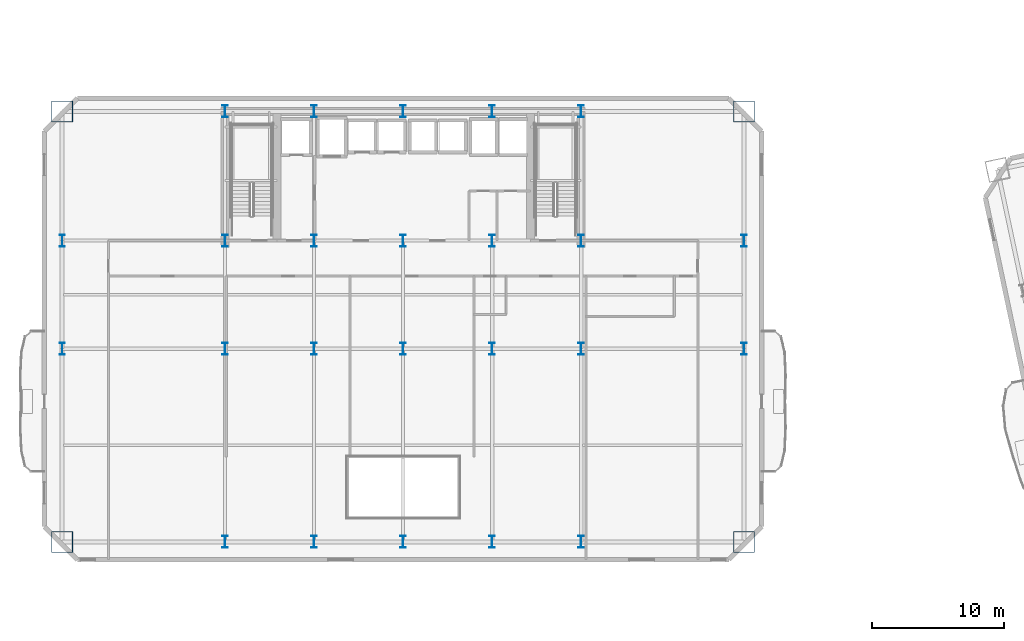
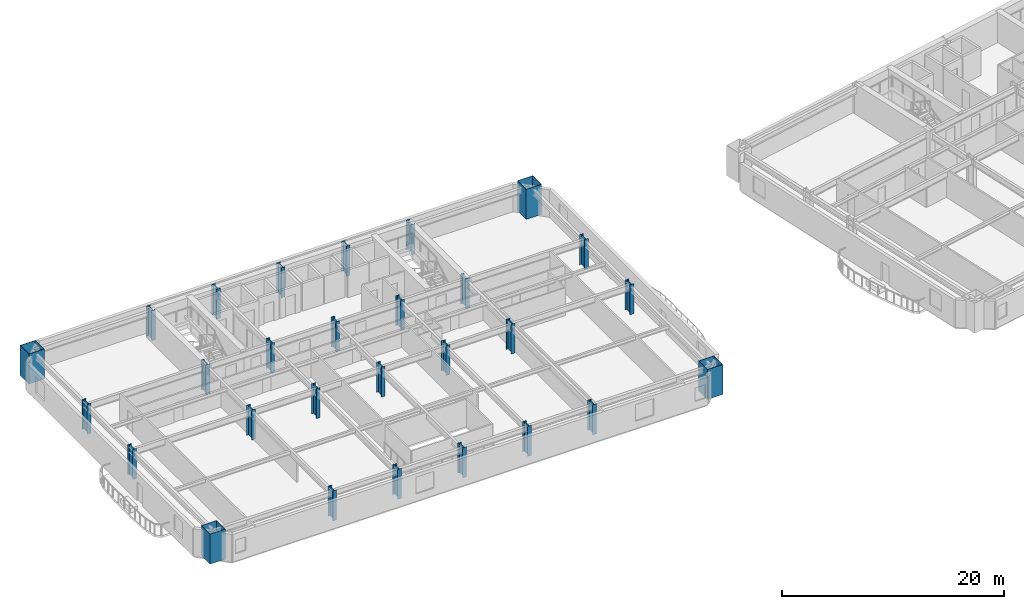
# One storey, part 1 of 16: 28 columns.
"""IFC4 building model written with IfcOpenShell, lengths in metres."""

from ifc_helpers import new_model, si_unit, direction, frame, origin, origin_2d, place, context, subcontext, project, spatial, hollow_rectangle, i_section, extrude, material, material_profile, profile_set, type_object, element, save


model = new_model("IFC4")

# Units and contexts
model_context = context("Model", 3, precision=1e-05, world=origin(), true_north=direction((0.0, 1.0)))
body_context = subcontext(model_context, "Body", "Model", "MODEL_VIEW")
ifc_project = project(units=[si_unit("LENGTHUNIT", "METRE"), si_unit("AREAUNIT", "SQUARE_METRE"), si_unit("VOLUMEUNIT", "CUBIC_METRE"), si_unit("PLANEANGLEUNIT", "RADIAN"), si_unit("MASSUNIT", "GRAM", prefix="KILO")], contexts=[model_context])

# Site, building, storey
site_placement = place(None, origin())
site = spatial("IfcSite", under=ifc_project, at=site_placement, CompositionType="ELEMENT")
building_placement = place(site_placement, origin())
building = spatial("IfcBuilding", under=site, at=building_placement, Name="Haevon Station Towers", CompositionType="ELEMENT")
storey_placement = place(building_placement, frame((0.0, 0.0, 43.800048828125)))
storey = spatial("IfcBuildingStorey", under=building, at=storey_placement, Name="L10", CompositionType="ELEMENT", Elevation=43.800048828125)

# Columns
ifc_material = material(Name="Steel S460", Category="steel")
ifc_material_profile_1 = material_profile(ifc_material, hollow_rectangle(XDim=1.60009765625, YDim=1.60009765625, WallThickness=0.0400390625, at=origin_2d()), Name="BOX-1600x1600x40")
ifc_profile_set_1 = profile_set([ifc_material_profile_1], Name="Steel S460")
column_type_1 = type_object("IfcColumnType", Name="COL-MC1", PredefinedType="COLUMN", material=ifc_profile_set_1)
for number, where, z_axis, x_axis, name in (
    (1, (11.64990234375, 15.35009765625, 0.0), (0.0, 0.0, 1.0), (1.0, 0.0, 0.0), "COL-T1-L10-01-01"),
    (2, (11.64990234375, 48.0, 0.0), (0.0, 0.0, 1.0), (1.0, 0.0, 0.0), "COL-T1-L10-01-04"),
    (3, (63.35009765625, 15.35009765625, 0.0), (0.0, 0.0, 1.0), (1.0, 0.0, 0.0), "COL-T1-L10-07-01"),
    (4, (63.35009765625, 48.0, 0.0), (0.0, 0.0, 1.0), (1.0, 0.0, 0.0), "COL-T1-L10-07-04"),
):
    element("IfcColumn", number, at=place(storey_placement, frame(where, z_axis=z_axis, x_axis=x_axis)), inside=storey, type_object=column_type_1, Name=name, PredefinedType="COLUMN", context=body_context, shape_type="SweptSolid", body=[
        extrude(hollow_rectangle(XDim=1.60009765625, YDim=1.60009765625, WallThickness=0.0400390625, at=origin_2d()), origin(), (0.0, 0.0, 1.0), 3.300048828125),
    ])
ifc_material_profile_2 = material_profile(ifc_material, i_section(OverallWidth=0.39990234375, OverallDepth=0.89990234375, WebThickness=0.02001953125, FlangeThickness=0.035888671875, at=origin_2d()), Name="H-900x400x20x36")
ifc_profile_set_2 = profile_set([ifc_material_profile_2], Name="Steel S460")
column_type_2 = type_object("IfcColumnType", Name="COL-TW1", PredefinedType="COLUMN", material=ifc_profile_set_2)
for number, where, z_axis, x_axis, name in (
    (5, (11.64990234375, 30.0, 0.0), (0.0, 0.0, 1.0), (1.0, 0.0, 0.0), "COL-T1-L10-01-02"),
    (6, (11.64990234375, 38.199951171875, 0.0), (0.0, 0.0, 1.0), (1.0, 0.0, 0.0), "COL-T1-L10-01-03"),
    (7, (24.0, 15.35009765625, 0.0), (0.0, 0.0, 1.0), (1.0, 0.0, 0.0), "COL-T1-L10-02-01"),
    (8, (24.0, 30.0, 0.0), (0.0, 0.0, 1.0), (1.0, 0.0, 0.0), "COL-T1-L10-02-02"),
    (9, (24.0, 38.199951171875, 0.0), (0.0, 0.0, 1.0), (1.0, 0.0, 0.0), "COL-T1-L10-02-03"),
    (10, (24.0, 48.0, 0.0), (0.0, 0.0, 1.0), (1.0, 0.0, 0.0), "COL-T1-L10-02-04"),
    (11, (30.75, 15.35009765625, 0.0), (0.0, 0.0, 1.0), (1.0, 0.0, 0.0), "COL-T1-L10-03-01"),
    (12, (30.75, 30.0, 0.0), (0.0, 0.0, 1.0), (1.0, 0.0, 0.0), "COL-T1-L10-03-02"),
    (13, (30.75, 38.199951171875, 0.0), (0.0, 0.0, 1.0), (1.0, 0.0, 0.0), "COL-T1-L10-03-03"),
    (14, (30.75, 48.0, 0.0), (0.0, 0.0, 1.0), (1.0, 0.0, 0.0), "COL-T1-L10-03-04"),
    (15, (37.5, 15.35009765625, 0.0), (0.0, 0.0, 1.0), (1.0, 0.0, 0.0), "COL-T1-L10-04-01"),
    (16, (37.5, 30.0, 0.0), (0.0, 0.0, 1.0), (1.0, 0.0, 0.0), "COL-T1-L10-04-02"),
    (17, (37.5, 38.199951171875, 0.0), (0.0, 0.0, 1.0), (1.0, 0.0, 0.0), "COL-T1-L10-04-03"),
    (18, (37.5, 48.0, 0.0), (0.0, 0.0, 1.0), (1.0, 0.0, 0.0), "COL-T1-L10-04-04"),
    (19, (44.25, 15.35009765625, 0.0), (0.0, 0.0, 1.0), (1.0, 0.0, 0.0), "COL-T1-L10-05-01"),
    (20, (44.25, 30.0, 0.0), (0.0, 0.0, 1.0), (1.0, 0.0, 0.0), "COL-T1-L10-05-02"),
    (21, (44.25, 38.199951171875, 0.0), (0.0, 0.0, 1.0), (1.0, 0.0, 0.0), "COL-T1-L10-05-03"),
    (22, (44.25, 48.0, 0.0), (0.0, 0.0, 1.0), (1.0, 0.0, 0.0), "COL-T1-L10-05-04"),
    (23, (51.0, 15.35009765625, 0.0), (0.0, 0.0, 1.0), (1.0, 0.0, 0.0), "COL-T1-L10-06-01"),
    (24, (51.0, 30.0, 0.0), (0.0, 0.0, 1.0), (1.0, 0.0, 0.0), "COL-T1-L10-06-02"),
    (25, (51.0, 38.199951171875, 0.0), (0.0, 0.0, 1.0), (1.0, 0.0, 0.0), "COL-T1-L10-06-03"),
    (26, (51.0, 48.0, 0.0), (0.0, 0.0, 1.0), (1.0, 0.0, 0.0), "COL-T1-L10-06-04"),
    (27, (63.35009765625, 30.0, 0.0), (0.0, 0.0, 1.0), (1.0, 0.0, 0.0), "COL-T1-L10-07-02"),
    (28, (63.35009765625, 38.199951171875, 0.0), (0.0, 0.0, 1.0), (1.0, 0.0, 0.0), "COL-T1-L10-07-03"),
):
    element("IfcColumn", number, at=place(storey_placement, frame(where, z_axis=z_axis, x_axis=x_axis)), inside=storey, type_object=column_type_2, Name=name, PredefinedType="COLUMN", context=body_context, shape_type="SweptSolid", body=[
        extrude(i_section(OverallWidth=0.39990234375, OverallDepth=0.89990234375, WebThickness=0.02001953125, FlangeThickness=0.035888671875, at=origin_2d()), origin(), (0.0, 0.0, 1.0), 3.300048828125),
    ])

save(model, "model.ifc")
